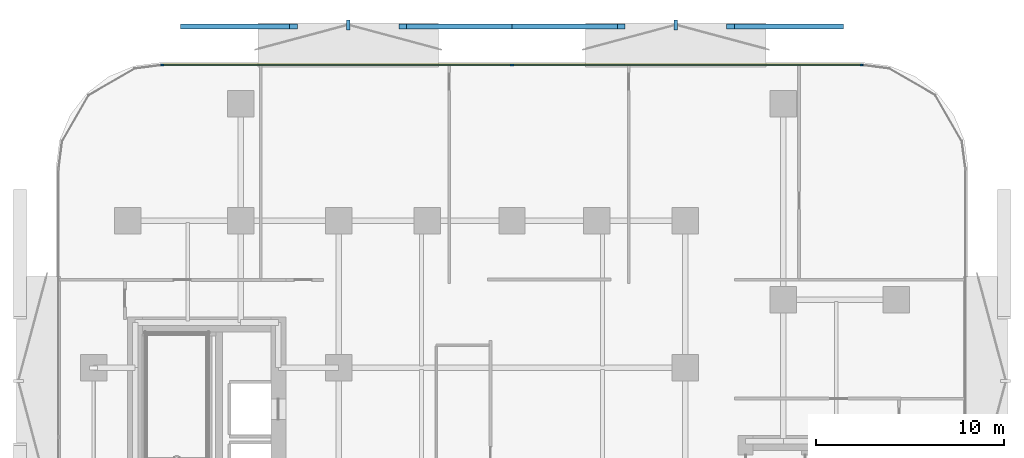
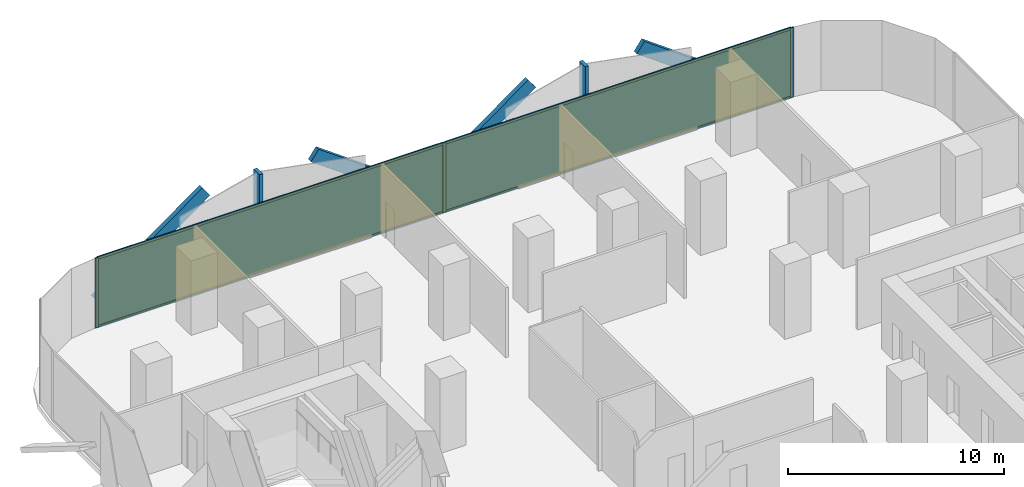
# One storey, part 10 of 15: 13 members, 2 plates, 1 curtain wall.
"""IFC4 building model written with IfcOpenShell, lengths in metres."""

from ifc_helpers import new_model, si_unit, direction, frame, frame_2d, origin, origin_2d, place, context, subcontext, project, spatial, rectangle, extrude, material, layer, layer_set, material_profile, profile_set, type_object, element, aggregate, save


model = new_model("IFC4")

# Units and contexts
model_context = context("Model", 3, precision=1e-05, world=origin(), true_north=direction((0.0, 1.0)))
body_context = subcontext(model_context, "Body", "Model", "MODEL_VIEW")
ifc_project = project(units=[si_unit("LENGTHUNIT", "METRE"), si_unit("AREAUNIT", "SQUARE_METRE"), si_unit("VOLUMEUNIT", "CUBIC_METRE"), si_unit("PLANEANGLEUNIT", "RADIAN"), si_unit("MASSUNIT", "GRAM", prefix="KILO")], contexts=[model_context])

# Member
ifc_material_1 = material(Name="Anodised Bronze Aluminium 6063-T6", Category="aluminium")
ifc_material_profile_1 = material_profile(ifc_material_1, rectangle(XDim=0.260009765625, YDim=0.699951171875, at=origin_2d()))
ifc_profile_set_1 = profile_set([ifc_material_profile_1], Name="Anodised Bronze Aluminium 6063-T6")
member_type_1 = type_object("IfcMemberType", Name="Bronze Diamond Solar-Screen Lattice Rib BDL-700", PredefinedType="MULLION", material=ifc_profile_set_1)
site_placement = place(None, origin())
building_placement = place(site_placement, origin())
storey_placement = place(building_placement, frame((0.0, 0.0, 76.39990234375)))
member_1_placement = place(storey_placement, frame((-17.390869140625, 28.89990234375, -0.1298828125), z_axis=(0.80979516686, 0.0, 0.58671269607), x_axis=(0.0, 1.0, 0.0)))
member_1 = element("IfcMember", 1, at=member_1_placement, type_object=member_type_1, Name="L18 Bronze Diamond Solar Screen Lattice Rib 101A", PredefinedType="MULLION", context=body_context, shape_type="SweptSolid", body=[
    extrude(rectangle(XDim=0.260009765625, YDim=0.699951171875, at=origin_2d()), origin(), (0.0, 0.0, 1.0), 7.158447265625),
])

member_2_placement = place(storey_placement, frame((0.0, 28.89990234375, -0.1298828125), z_axis=(-0.80979516686, 0.0, 0.58671269607), x_axis=(0.0, -1.0, 0.0)))
member_2 = element("IfcMember", 2, at=member_2_placement, type_object=member_type_1, Name="L18 Bronze Diamond Solar Screen Lattice Rib 101B", PredefinedType="MULLION", context=body_context, shape_type="SweptSolid", body=[
    extrude(rectangle(XDim=0.260009765625, YDim=0.699951171875, at=origin_2d()), origin(), (0.0, 0.0, 1.0), 7.158447265625),
])

member_3_placement = place(storey_placement, frame((0.0, 28.89990234375, -0.1298828125), z_axis=(0.80979516686, 0.0, 0.58671269607), x_axis=(0.0, 1.0, 0.0)))
member_3 = element("IfcMember", 3, at=member_3_placement, type_object=member_type_1, Name="L18 Bronze Diamond Solar Screen Lattice Rib 102A", PredefinedType="MULLION", context=body_context, shape_type="SweptSolid", body=[
    extrude(rectangle(XDim=0.260009765625, YDim=0.699951171875, at=origin_2d()), origin(), (0.0, 0.0, 1.0), 7.158447265625),
])

member_4_placement = place(storey_placement, frame((17.390869140625, 28.89990234375, -0.1298828125), z_axis=(-0.80979516686, 0.0, 0.58671269607), x_axis=(0.0, -1.0, 0.0)))
member_4 = element("IfcMember", 4, at=member_4_placement, type_object=member_type_1, Name="L18 Bronze Diamond Solar Screen Lattice Rib 102B", PredefinedType="MULLION", context=body_context, shape_type="SweptSolid", body=[
    extrude(rectangle(XDim=0.260009765625, YDim=0.699951171875, at=origin_2d()), origin(), (0.0, 0.0, 1.0), 7.158447265625),
])

ifc_material_2 = material(Name="Anodised Bronze Aluminium 6063-T6", Category="aluminium")
ifc_material_profile_2 = material_profile(ifc_material_2, rectangle(XDim=0.179931640625, YDim=0.5400390625, at=origin_2d()))
ifc_profile_set_2 = profile_set([ifc_material_profile_2], Name="Anodised Bronze Aluminium 6063-T6")
member_type_2 = type_object("IfcMemberType", Name="Bronze Solar-Screen Vertical Fold Fin BSF-540", PredefinedType="MULLION", material=ifc_profile_set_2)
member_5_placement = place(storey_placement, frame((-8.6953125, 28.97998046875, -0.1298828125), z_axis=(0.0, 0.0, 1.0), x_axis=(1.0, 0.0, 0.0)))
member_5 = element("IfcMember", 5, at=member_5_placement, type_object=member_type_2, Name="L18 Bronze Solar Screen Vertical Fin 101", PredefinedType="MULLION", context=body_context, shape_type="SweptSolid", body=[
    extrude(rectangle(XDim=0.179931640625, YDim=0.5400390625, at=origin_2d()), origin(), (0.0, 0.0, 1.0), 4.199951171875),
])

member_6_placement = place(storey_placement, frame((8.6953125, 28.97998046875, -0.1298828125), z_axis=(0.0, 0.0, 1.0), x_axis=(1.0, 0.0, 0.0)))
member_6 = element("IfcMember", 6, at=member_6_placement, type_object=member_type_2, Name="L18 Bronze Solar Screen Vertical Fin 102", PredefinedType="MULLION", context=body_context, shape_type="SweptSolid", body=[
    extrude(rectangle(XDim=0.179931640625, YDim=0.5400390625, at=origin_2d()), origin(), (0.0, 0.0, 1.0), 4.199951171875),
])

ifc_material_3 = material(Name="Anodised Bronze Aluminium 6063-T6", Category="aluminium")
ifc_material_profile_3 = material_profile(ifc_material_3, rectangle(XDim=0.06494140625, YDim=0.179931640625, at=origin_2d()))
ifc_profile_set_3 = profile_set([ifc_material_profile_3], Name="Anodised Bronze Aluminium 6063-T6")
member_type_3 = type_object("IfcMemberType", Name="CW-Z1 Mullion 65x180", PredefinedType="MULLION", material=ifc_profile_set_3)
member_7_placement = place(storey_placement, frame((-18.558349609375, 26.860107421875, 0.0), z_axis=(0.0, 0.0, 1.0), x_axis=(0.0, 1.0, 0.0)))
member_7 = element("IfcMember", 7, at=member_7_placement, type_object=member_type_3, Name="CW-Z1 mullion 1", PredefinedType="MULLION", context=body_context, shape_type="SweptSolid", body=[
    extrude(rectangle(XDim=0.06494140625, YDim=0.179931640625, at=origin_2d()), origin(), (0.0, 0.0, 1.0), 3.940185546875),
])

member_8_placement = place(storey_placement, frame((0.0, 26.860107421875, 0.0), z_axis=(0.0, 0.0, 1.0), x_axis=(0.0, 1.0, 0.0)))
member_8 = element("IfcMember", 8, at=member_8_placement, type_object=member_type_3, Name="CW-Z1 mullion 2", PredefinedType="MULLION", context=body_context, shape_type="SweptSolid", body=[
    extrude(rectangle(XDim=0.06494140625, YDim=0.179931640625, at=origin_2d()), origin(), (0.0, 0.0, 1.0), 3.940185546875),
])

member_9_placement = place(storey_placement, frame((18.558349609375, 26.860107421875, 0.0), z_axis=(0.0, 0.0, 1.0), x_axis=(0.0, 1.0, 0.0)))
member_9 = element("IfcMember", 9, at=member_9_placement, type_object=member_type_3, Name="CW-Z1 mullion 3", PredefinedType="MULLION", context=body_context, shape_type="SweptSolid", body=[
    extrude(rectangle(XDim=0.06494140625, YDim=0.179931640625, at=origin_2d()), origin(), (0.0, 0.0, 1.0), 3.940185546875),
])

ifc_material_4 = material(Name="Anodised Bronze Aluminium 6063-T6", Category="aluminium")
ifc_material_profile_4 = material_profile(ifc_material_4, rectangle(XDim=0.06494140625, YDim=0.139892578125, at=origin_2d()))
ifc_profile_set_4 = profile_set([ifc_material_profile_4], Name="Anodised Bronze Aluminium 6063-T6")
member_type_4 = type_object("IfcMemberType", Name="CW-Z1 Transom 65x140", PredefinedType="USERDEFINED", material=ifc_profile_set_4)
member_10_placement = place(storey_placement, frame((-18.52587890625, 26.860107421875, 0.03271484375), z_axis=(1.0, 0.0, 0.0), x_axis=(0.0, 1.0, 0.0)))
member_10 = element("IfcMember", 10, at=member_10_placement, type_object=member_type_4, Name="CW-Z1 transom 1.1", ObjectType="TRANSOM", PredefinedType="USERDEFINED", context=body_context, shape_type="SweptSolid", body=[
    extrude(rectangle(XDim=0.06494140625, YDim=0.139892578125, at=origin_2d()), origin(), (0.0, 0.0, 1.0), 18.493408203125),
])

member_11_placement = place(storey_placement, frame((-18.52587890625, 26.860107421875, 3.90771484375), z_axis=(1.0, 0.0, 0.0), x_axis=(0.0, 1.0, 0.0)))
member_11 = element("IfcMember", 11, at=member_11_placement, type_object=member_type_4, Name="CW-Z1 transom 1.2", ObjectType="TRANSOM", PredefinedType="USERDEFINED", context=body_context, shape_type="SweptSolid", body=[
    extrude(rectangle(XDim=0.06494140625, YDim=0.139892578125, at=origin_2d()), origin(), (0.0, 0.0, 1.0), 18.493408203125),
])

member_12_placement = place(storey_placement, frame((0.032470703125, 26.860107421875, 0.03271484375), z_axis=(1.0, 0.0, 0.0), x_axis=(0.0, 1.0, 0.0)))
member_12 = element("IfcMember", 12, at=member_12_placement, type_object=member_type_4, Name="CW-Z1 transom 2.1", ObjectType="TRANSOM", PredefinedType="USERDEFINED", context=body_context, shape_type="SweptSolid", body=[
    extrude(rectangle(XDim=0.06494140625, YDim=0.139892578125, at=origin_2d()), origin(), (0.0, 0.0, 1.0), 18.493408203125),
])

member_13_placement = place(storey_placement, frame((0.032470703125, 26.860107421875, 3.90771484375), z_axis=(1.0, 0.0, 0.0), x_axis=(0.0, 1.0, 0.0)))
member_13 = element("IfcMember", 13, at=member_13_placement, type_object=member_type_4, Name="CW-Z1 transom 2.2", ObjectType="TRANSOM", PredefinedType="USERDEFINED", context=body_context, shape_type="SweptSolid", body=[
    extrude(rectangle(XDim=0.06494140625, YDim=0.139892578125, at=origin_2d()), origin(), (0.0, 0.0, 1.0), 18.493408203125),
])

# Plate
ifc_material_5 = material(Name="Low-E Solar Control Laminated Glass", Category="glass")
ifc_layer_1 = layer(ifc_material_5, 0.028076171875, Name="Low-E Solar Control Laminated Glass")
ifc_layer_set_1 = layer_set([ifc_layer_1], Name="Low-E Solar Control Laminated Glass")
plate_type = type_object("IfcPlateType", Name="CW-Z1 Low-E Double Glazed Panel 28mm", PredefinedType="CURTAIN_PANEL", material=ifc_layer_set_1)
plate_1_placement = place(storey_placement, frame((-9.279052734375, 26.860107421875, 0.065185546875), z_axis=(0.0, 0.0, 1.0), x_axis=(1.0, 0.0, 0.0)))
plate_1 = element("IfcPlate", 14, at=plate_1_placement, type_object=plate_type, Name="CW-Z1 panel 1.1", PredefinedType="CURTAIN_PANEL", context=body_context, shape_type="SweptSolid", body=[
    extrude(rectangle(XDim=18.493408203125, YDim=0.028076171875, at=origin_2d()), origin(), (0.0, 0.0, 1.0), 3.81005859375),
])

plate_2_placement = place(storey_placement, frame((9.279052734375, 26.860107421875, 0.065185546875), z_axis=(0.0, 0.0, 1.0), x_axis=(1.0, 0.0, 0.0)))
plate_2 = element("IfcPlate", 15, at=plate_2_placement, type_object=plate_type, Name="CW-Z1 panel 2.1", PredefinedType="CURTAIN_PANEL", context=body_context, shape_type="SweptSolid", body=[
    extrude(rectangle(XDim=18.493408203125, YDim=0.028076171875, at=origin_2d()), origin(), (0.0, 0.0, 1.0), 3.81005859375),
])

# Site, building, storey
site = spatial("IfcSite", under=ifc_project, at=site_placement, CompositionType="ELEMENT")
building = spatial("IfcBuilding", under=site, at=building_placement, Name="Khairoan Windgate Tower", CompositionType="ELEMENT")
storey = spatial("IfcBuildingStorey", under=building, at=storey_placement, Name="L18", CompositionType="ELEMENT", Elevation=76.39990234375)

# Curtain wall
ifc_material_6 = material(Name="Anodised Bronze Aluminium 6063-T6", Category="aluminium")
ifc_layer_2 = layer(ifc_material_6, 0.179931640625, Name="Anodised Bronze Aluminium 6063-T6")
ifc_layer_set_2 = layer_set([ifc_layer_2], Name="Anodised Bronze Aluminium 6063-T6")
curtain_wall_type = type_object("IfcCurtainWallType", Name="Low-Rise Office Unitised Curtain Wall CW-Z1", PredefinedType="NOTDEFINED", material=ifc_layer_set_2)
curtain_wall_placement = place(storey_placement, frame((-18.5908203125, 26.860107421875, 0.0), z_axis=(0.0, 0.0, 1.0), x_axis=(1.0, 0.0, 0.0)))
curtain_wall = element("IfcCurtainWall", 16, at=curtain_wall_placement, inside=storey, type_object=curtain_wall_type, Name="L18 Unitised Curtain Wall 11", PredefinedType="NOTDEFINED", context=body_context, shape_type="SweptSolid", body=[
    extrude(rectangle(XDim=37.181640625, YDim=0.010009765625, at=frame_2d((18.5908203125, 0.0))), origin(), (0.0, 0.0, 1.0), 3.940185546875),
])

aggregate(curtain_wall, [member_7, member_8, member_9, member_10, member_11, plate_1, member_12, member_13, plate_2, member_1, member_2, member_5, member_3, member_4, member_6])

save(model, "model.ifc")
